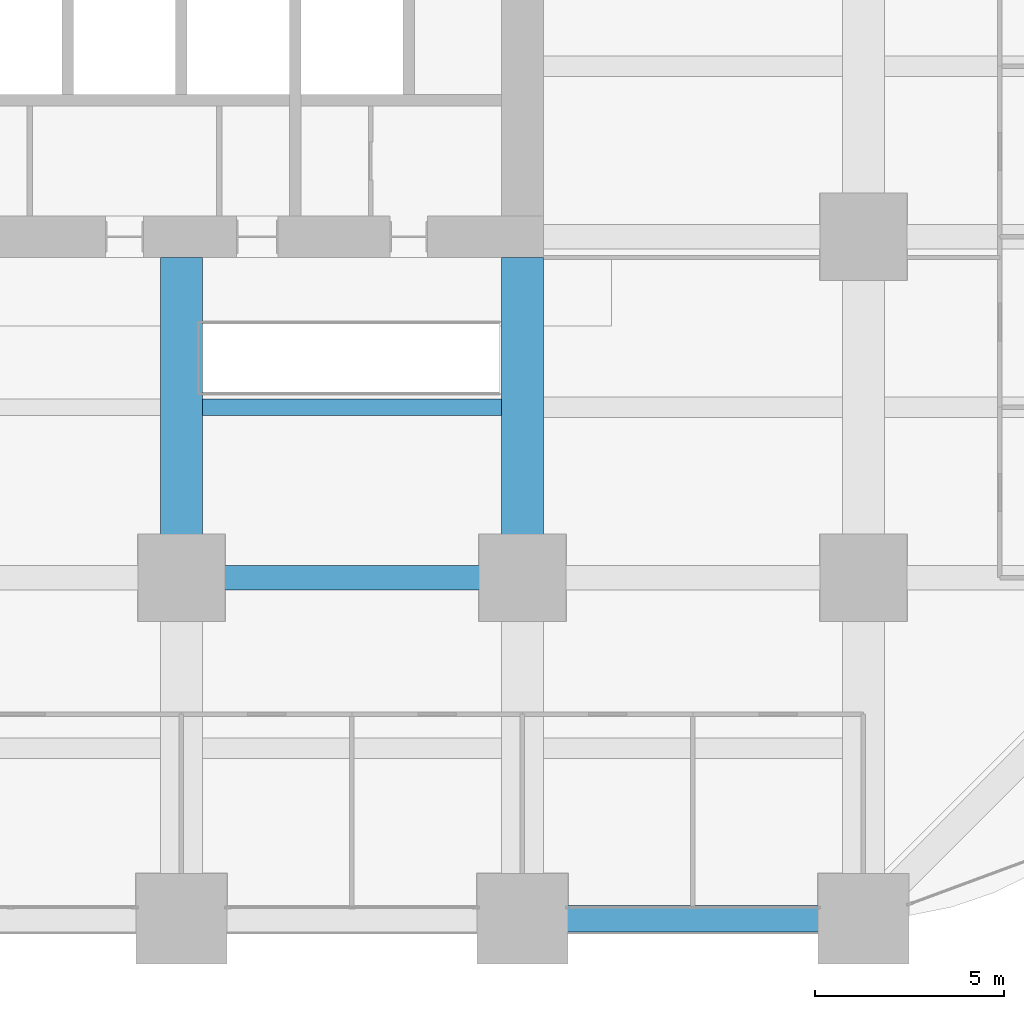
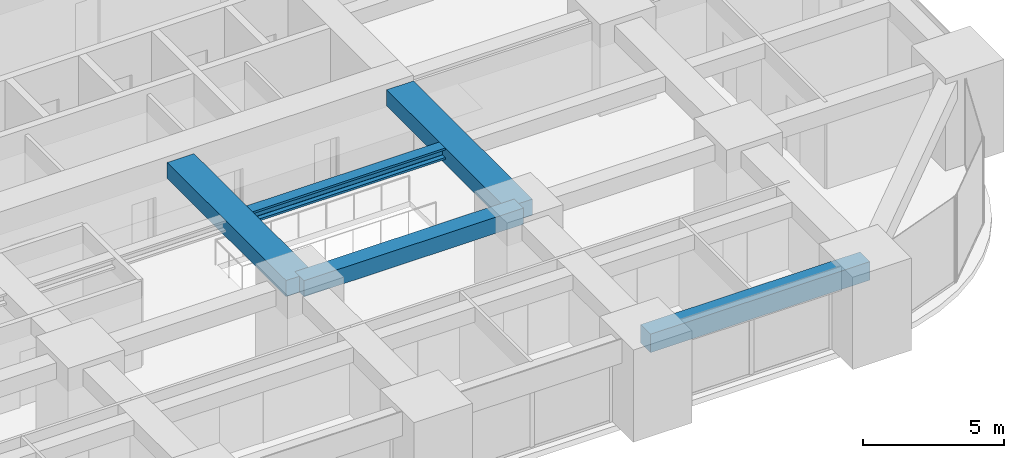
# One storey, part 14 of 45: 5 beams.
"""IFC4 building model written with IfcOpenShell, lengths in metres."""

from ifc_helpers import new_model, si_unit, direction, frame, origin, origin_2d, place, context, subcontext, project, spatial, rectangle, i_section, extrude, material, material_profile, profile_set, type_object, element, save


model = new_model("IFC4")

# Units and contexts
model_context = context("Model", 3, precision=1e-05, world=origin(), true_north=direction((0.0, 1.0)))
body_context = subcontext(model_context, "Body", "Model", "MODEL_VIEW")
ifc_project = project(units=[si_unit("LENGTHUNIT", "METRE"), si_unit("AREAUNIT", "SQUARE_METRE"), si_unit("VOLUMEUNIT", "CUBIC_METRE"), si_unit("PLANEANGLEUNIT", "RADIAN"), si_unit("MASSUNIT", "GRAM", prefix="KILO")], contexts=[model_context])

# Site, building, storey
site_placement = place(None, origin())
site = spatial("IfcSite", under=ifc_project, at=site_placement, CompositionType="ELEMENT")
building_placement = place(site_placement, origin())
building = spatial("IfcBuilding", under=site, at=building_placement, Name="Zorevar Civic Tower", CompositionType="ELEMENT")
storey_placement = place(building_placement, frame((0.0, 0.0, 27.800048828125)))
storey = spatial("IfcBuildingStorey", under=building, at=storey_placement, Name="L06", CompositionType="ELEMENT", Elevation=27.800048828125)

# Beams
ifc_material_1 = material(Name="Concrete C50/60", Category="concrete")
ifc_material_profile_1 = material_profile(ifc_material_1, rectangle(XDim=1.10009765625, YDim=0.699951171875, at=origin_2d()), Name="RC 1100x700")
ifc_profile_set_1 = profile_set([ifc_material_profile_1], Name="Concrete C50/60")
beam_type_1 = type_object("IfcBeamType", Name="Beam RC 1100x700", PredefinedType="BEAM", material=ifc_profile_set_1)
for number, where, z_axis, x_axis, name in (
    (1, (36.0, 9.0, 3.39990234375), (0.0, 1.0, 0.0), (-1.0, 0.0, 0.0), "Girder L07"),
    (2, (45.0, 9.0, 3.39990234375), (0.0, 1.0, 0.0), (-1.0, 0.0, 0.0), "Girder L07"),
):
    element("IfcBeam", number, at=place(storey_placement, frame(where, z_axis=z_axis, x_axis=x_axis)), inside=storey, type_object=beam_type_1, Name=name, PredefinedType="BEAM", context=body_context, shape_type="SweptSolid", body=[
        extrude(rectangle(XDim=1.10009765625, YDim=0.699951171875, at=origin_2d()), origin(), (0.0, 0.0, 1.0), 8.449951171875),
    ])
ifc_material_2 = material(Name="Concrete C50/60", Category="concrete")
ifc_material_profile_2 = material_profile(ifc_material_2, rectangle(XDim=0.64990234375, YDim=0.699951171875, at=origin_2d()), Name="RC 650x700")
ifc_profile_set_2 = profile_set([ifc_material_profile_2], Name="Concrete C50/60")
beam_type_2 = type_object("IfcBeamType", Name="Beam RC 650x700", PredefinedType="BEAM", material=ifc_profile_set_2)
beam_1_placement = place(storey_placement, frame((36.0, 9.0, 3.39990234375), z_axis=(1.0, 0.0, 0.0), x_axis=(0.0, 1.0, 0.0)))
element("IfcBeam", 3, at=beam_1_placement, inside=storey, type_object=beam_type_2, Name="Girder L07", PredefinedType="BEAM", context=body_context, shape_type="SweptSolid", body=[
    extrude(rectangle(XDim=0.64990234375, YDim=0.699951171875, at=origin_2d()), origin(), (0.0, 0.0, 1.0), 9.0),
])
ifc_material_3 = material(Name="Steel S460M (HISTAR 460)", Category="steel")
ifc_material_profile_3 = material_profile(ifc_material_3, i_section(OverallWidth=0.431884765625, OverallDepth=0.498046875, WebThickness=0.0556640625, FlangeThickness=0.0888671875, FilletRadius=0.014892578125, at=origin_2d()), Name="HD 400x744")
ifc_profile_set_3 = profile_set([ifc_material_profile_3], Name="Steel S460M (HISTAR 460)")
beam_type_3 = type_object("IfcBeamType", Name="Core bay beam HD 400x744", PredefinedType="BEAM", material=ifc_profile_set_3)
beam_2_placement = place(storey_placement, frame((36.550048828125, 13.5, 3.5009765625), z_axis=(1.0, 0.0, 0.0), x_axis=(0.0, 1.0, 0.0)))
element("IfcBeam", 4, at=beam_2_placement, inside=storey, type_object=beam_type_3, Name="Secondary beam L07", PredefinedType="BEAM", context=body_context, shape_type="SweptSolid", body=[
    extrude(i_section(OverallWidth=0.431884765625, OverallDepth=0.498046875, WebThickness=0.0556640625, FlangeThickness=0.0888671875, FilletRadius=0.014892578125, at=origin_2d()), origin(), (0.0, 0.0, 1.0), 7.89990234375),
])
ifc_material_4 = material(Name="Concrete C50/60", Category="concrete")
ifc_material_profile_4 = material_profile(ifc_material_4, rectangle(XDim=0.699951171875, YDim=0.800048828125, at=origin_2d()), Name="RC 700x800")
ifc_profile_set_4 = profile_set([ifc_material_profile_4], Name="Concrete C50/60")
beam_type_4 = type_object("IfcBeamType", Name="Edge beam RC 700x800", PredefinedType="SPANDREL", material=ifc_profile_set_4)
beam_3_placement = place(storey_placement, frame((45.0, 0.0, 3.349853515625), z_axis=(1.0, 0.0, 0.0), x_axis=(0.0, 1.0, 0.0)))
element("IfcBeam", 5, at=beam_3_placement, inside=storey, type_object=beam_type_4, Name="Edge beam L07", PredefinedType="SPANDREL", context=body_context, shape_type="SweptSolid", body=[
    extrude(rectangle(XDim=0.699951171875, YDim=0.800048828125, at=origin_2d()), origin(), (0.0, 0.0, 1.0), 9.0),
])

save(model, "model.ifc")
